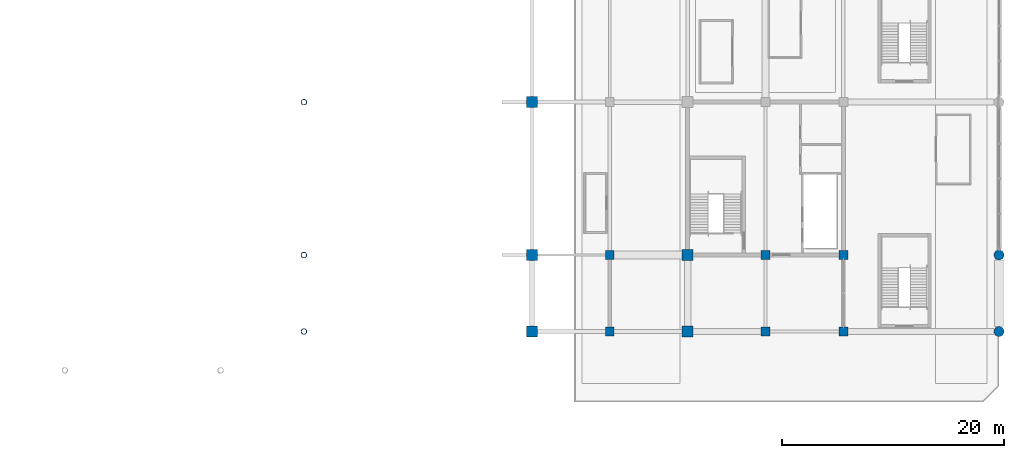
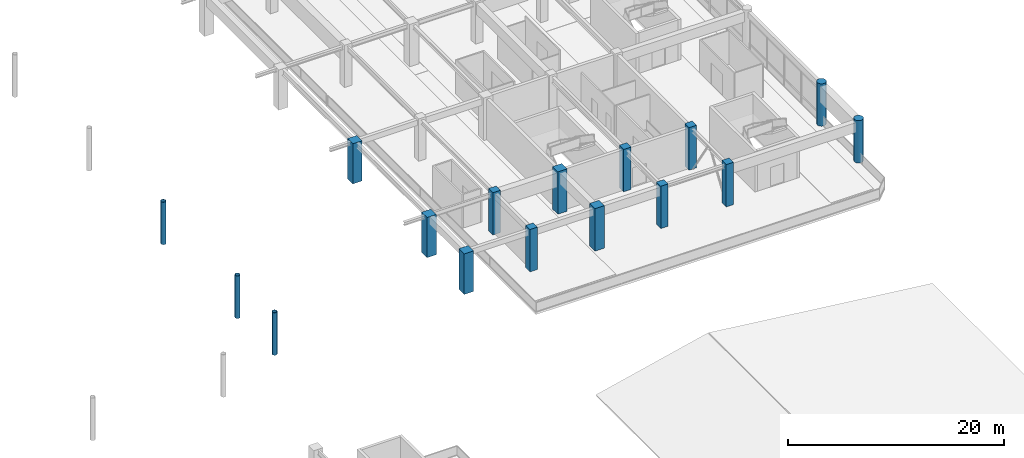
# One storey, part 9 of 91: 16 columns.
"""IFC4 building model written with IfcOpenShell, lengths in metres."""

from ifc_helpers import new_model, si_unit, direction, frame, origin, origin_2d, place, context, subcontext, project, spatial, rectangle, circle, hollow_circle, extrude, material, material_profile, profile_set, type_object, element, save


model = new_model("IFC4")

# Units and contexts
model_context = context("Model", 3, precision=1e-05, world=origin(), true_north=direction((0.0, 1.0)))
body_context = subcontext(model_context, "Body", "Model", "MODEL_VIEW")
ifc_project = project(units=[si_unit("LENGTHUNIT", "METRE"), si_unit("AREAUNIT", "SQUARE_METRE"), si_unit("VOLUMEUNIT", "CUBIC_METRE"), si_unit("PLANEANGLEUNIT", "RADIAN"), si_unit("MASSUNIT", "GRAM", prefix="KILO")], contexts=[model_context])

# Site, building, storey
site_placement = place(None, origin())
site = spatial("IfcSite", under=ifc_project, at=site_placement, CompositionType="ELEMENT")
building_placement = place(site_placement, origin())
building = spatial("IfcBuilding", under=site, at=building_placement, Name="Linyun Crest Stadium", CompositionType="ELEMENT")
storey_placement = place(building_placement, frame((0.0, 0.0, 11.39990234375)))
storey = spatial("IfcBuildingStorey", under=building, at=storey_placement, Name="L03", CompositionType="ELEMENT", Elevation=11.39990234375)

# Columns
ifc_material_1 = material(Name="Concrete C50", Category="concrete")
ifc_material_profile_1 = material_profile(ifc_material_1, rectangle(XDim=0.800048828125, YDim=0.800048828125, at=origin_2d()), Name="RC 800x800")
ifc_profile_set_1 = profile_set([ifc_material_profile_1], Name="Concrete C50")
column_type_1 = type_object("IfcColumnType", Name="C03", PredefinedType="COLUMN", material=ifc_profile_set_1)
for number, where, z_axis, x_axis, name in (
    (1, (63.0, -46.0, 0.0), (0.0, 0.0, 1.0), (1.0, 0.0, 0.0), "Column C03 L03 356"),
    (2, (63.0, -39.125, 0.0), (0.0, 0.0, 1.0), (1.0, 0.0, 0.0), "Column C03 L03 361"),
    (3, (77.0, -46.0, 0.0), (0.0, 0.0, 1.0), (1.0, 0.0, 0.0), "Column C03 L03 444"),
    (4, (77.0, -39.125, 0.0), (0.0, 0.0, 1.0), (1.0, 0.0, 0.0), "Column C03 L03 449"),
    (5, (84.0, -46.0, 0.0), (0.0, 0.0, 1.0), (1.0, 0.0, 0.0), "Column C03 L03 484"),
    (6, (84.0, -39.125, 0.0), (0.0, 0.0, 1.0), (1.0, 0.0, 0.0), "Column C03 L03 490"),
):
    element("IfcColumn", number, at=place(storey_placement, frame(where, z_axis=z_axis, x_axis=x_axis)), inside=storey, type_object=column_type_1, Name=name, PredefinedType="COLUMN", context=body_context, shape_type="SweptSolid", body=[
        extrude(rectangle(XDim=0.800048828125, YDim=0.800048828125, at=origin_2d()), origin(), (0.0, 0.0, 1.0), 4.798095703125),
    ])
ifc_material_2 = material(Name="Concrete C50", Category="concrete")
ifc_material_profile_2 = material_profile(ifc_material_2, rectangle(XDim=1.0, YDim=1.0, at=origin_2d()), Name="RC 1000x1000")
ifc_profile_set_2 = profile_set([ifc_material_profile_2], Name="Concrete C50")
column_type_2 = type_object("IfcColumnType", Name="C05", PredefinedType="COLUMN", material=ifc_profile_set_2)
column_placement = place(storey_placement, frame((56.0, -46.0, 0.0), z_axis=(0.0, 0.0, 1.0), x_axis=(1.0, 0.0, 0.0)))
element("IfcColumn", 7, at=column_placement, inside=storey, type_object=column_type_2, Name="Column C05 L03 324", PredefinedType="COLUMN", context=body_context, shape_type="SweptSolid", body=[
    extrude(rectangle(XDim=1.0, YDim=1.0, at=origin_2d()), origin(), (0.0, 0.0, 1.0), 4.580078125),
])
for number, where, z_axis, x_axis, name in (
    (8, (56.0, -39.125, 0.0), (0.0, 0.0, 1.0), (1.0, 0.0, 0.0), "Column C05 L03 328"),
    (9, (56.0, -25.375, 0.0), (0.0, 0.0, 1.0), (1.0, 0.0, 0.0), "Column C05 L03 332"),
):
    element("IfcColumn", number, at=place(storey_placement, frame(where, z_axis=z_axis, x_axis=x_axis)), inside=storey, type_object=column_type_2, Name=name, PredefinedType="COLUMN", context=body_context, shape_type="SweptSolid", body=[
        extrude(rectangle(XDim=1.0, YDim=1.0, at=origin_2d()), origin(), (0.0, 0.0, 1.0), 4.5400390625),
    ])
for number, where, z_axis, x_axis, name in (
    (10, (70.0, -46.0, 0.0), (0.0, 0.0, 1.0), (1.0, 0.0, 0.0), "Column C05 L03 396"),
    (11, (70.0, -39.125, 0.0), (0.0, 0.0, 1.0), (1.0, 0.0, 0.0), "Column C05 L03 402"),
):
    element("IfcColumn", number, at=place(storey_placement, frame(where, z_axis=z_axis, x_axis=x_axis)), inside=storey, type_object=column_type_2, Name=name, PredefinedType="COLUMN", context=body_context, shape_type="SweptSolid", body=[
        extrude(rectangle(XDim=1.0, YDim=1.0, at=origin_2d()), origin(), (0.0, 0.0, 1.0), 4.798095703125),
    ])
ifc_material_3 = material(Name="Concrete C50", Category="concrete")
ifc_material_profile_3 = material_profile(ifc_material_3, circle(Radius=0.449951171875, at=origin_2d()), Name="RC D900")
ifc_profile_set_3 = profile_set([ifc_material_profile_3], Name="Concrete C50")
column_type_3 = type_object("IfcColumnType", Name="C08", PredefinedType="COLUMN", material=ifc_profile_set_3)
for number, where, z_axis, x_axis, name in (
    (12, (98.0, -46.0, 0.0), (0.0, 0.0, 1.0), (1.0, 0.0, 0.0), "Column C08 L03 532"),
    (13, (98.0, -39.125, 0.0), (0.0, 0.0, 1.0), (1.0, 0.0, 0.0), "Column C08 L03 537"),
):
    element("IfcColumn", number, at=place(storey_placement, frame(where, z_axis=z_axis, x_axis=x_axis)), inside=storey, type_object=column_type_3, Name=name, PredefinedType="COLUMN", context=body_context, shape_type="SweptSolid", body=[
        extrude(circle(Radius=0.449951171875, at=origin_2d()), origin(), (0.0, 0.0, 1.0), 4.798095703125),
    ])
ifc_material_4 = material(Name="Steel Q355C", Category="steel")
ifc_material_profile_4 = material_profile(ifc_material_4, hollow_circle(Radius=0.25390625, WallThickness=0.02490234375, at=origin_2d()), Name="CHS 508x25")
ifc_profile_set_4 = profile_set([ifc_material_profile_4], Name="Steel Q355C")
column_type_4 = type_object("IfcColumnType", Name="SC05", PredefinedType="COLUMN", material=ifc_profile_set_4)
for number, where, z_axis, x_axis, name in (
    (14, (35.5, -46.0, 0.0), (0.0, 0.0, 1.0), (1.0, 0.0, 0.0), "Arch colonnade column SC05 L03 18"),
    (15, (35.5, -39.125, 0.0), (0.0, 0.0, 1.0), (1.0, 0.0, 0.0), "Arch colonnade column SC05 L03 20"),
    (16, (35.5, -25.375, 0.0), (0.0, 0.0, 1.0), (1.0, 0.0, 0.0), "Arch colonnade column SC05 L03 22"),
):
    element("IfcColumn", number, at=place(storey_placement, frame(where, z_axis=z_axis, x_axis=x_axis)), inside=storey, type_object=column_type_4, Name=name, PredefinedType="COLUMN", context=body_context, shape_type="SweptSolid", body=[
        extrude(hollow_circle(Radius=0.25390625, WallThickness=0.02490234375, at=origin_2d()), origin(), (0.0, 0.0, 1.0), 4.800048828125),
    ])

save(model, "model.ifc")
